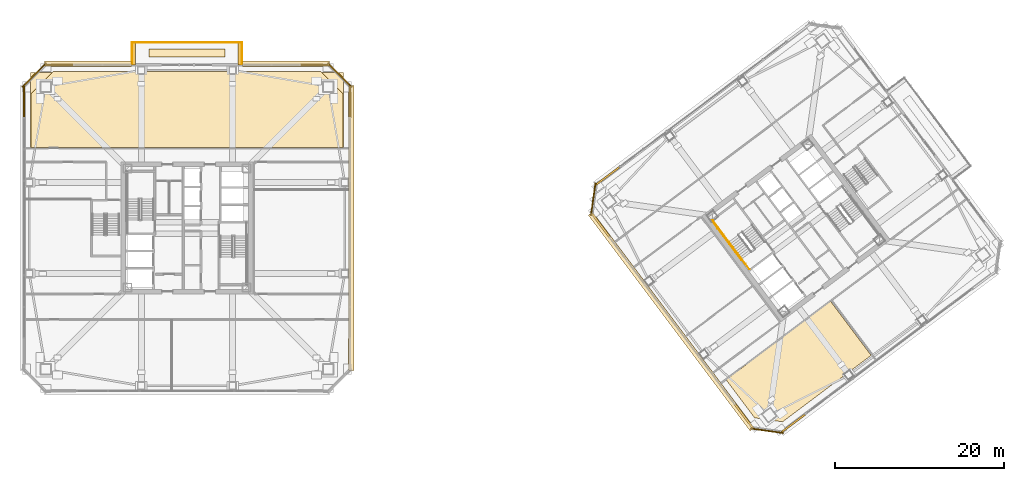
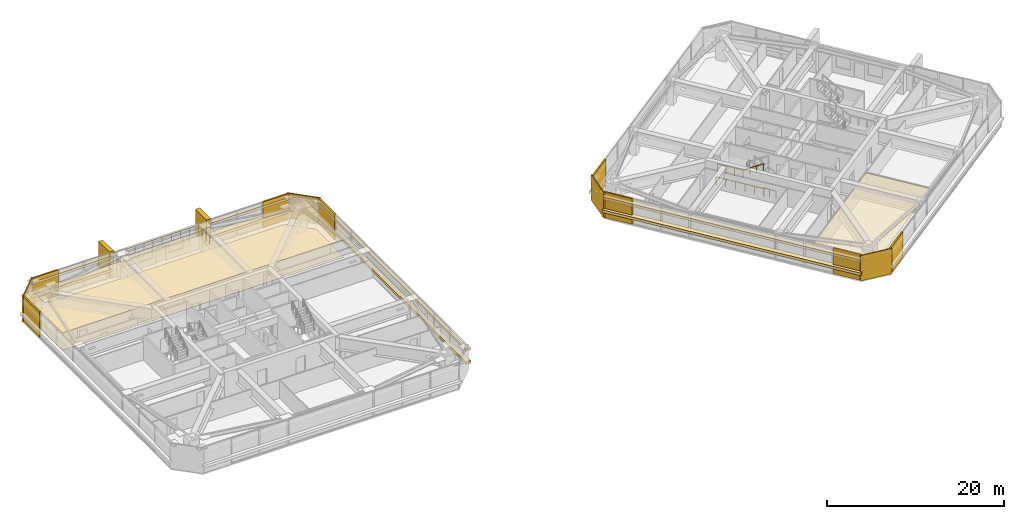
# One storey, part 39 of 42: 26 coverings, 7 railings.
"""IFC4 building model written with IfcOpenShell, lengths in metres."""

import ifcopenshell
import ifcopenshell.guid

model = None  # the IFC model being written
_history = None  # IfcOwnerHistory: only IFC2X3 demands one
_inside = {}  # id of a spatial element -> (the spatial element, [elements in it])
_under = {}  # id of a project, library or spatial element -> (it, [spatial elements below it])
_declared = {}  # id of a project -> (the project, [libraries it declares])
_typed = {}  # id of a type object -> (the type object, [elements of that type])
_made_of = {}  # id of a material, layer set ... -> (it, [elements and type objects made of it])


def new_model(schema):
    """Start an empty IFC model of exactly this schema.

    Asked for "IFC4X3", IfcOpenShell would pick the latest addendum, in which some entities
    have other attributes; the version numbers below select the first issue.
    IFC2X3 requires an IfcOwnerHistory on every rooted entity: one is made here for all.
    """
    global model, _history
    if schema == "IFC4X3":
        model = ifcopenshell.file(schema_version=(4, 3, 0, 0))
    else:
        model = ifcopenshell.file(schema=schema)
    _inside.clear()
    _under.clear()
    _declared.clear()
    _typed.clear()
    _made_of.clear()
    _history = None
    if model.schema == "IFC2X3":
        org = make("IfcOrganization", Name="unknown")
        user = make(
            "IfcPersonAndOrganization",
            ThePerson=make("IfcPerson", FamilyName="unknown"),
            TheOrganization=org,
        )
        app = make(
            "IfcApplication",
            ApplicationDeveloper=org,
            Version="unknown",
            ApplicationFullName="unknown",
            ApplicationIdentifier="unknown",
        )
        _history = make(
            "IfcOwnerHistory",
            OwningUser=user,
            OwningApplication=app,
            ChangeAction="ADDED",
            CreationDate=0,
        )
    return model


def make(cls, **values):
    """One entity of the class cls with the attributes given. An attribute that is None is left unset."""
    return model.create_entity(
        cls, **{name: value for name, value in values.items() if value is not None}
    )


def rooted(cls, **values):
    """An entity with a GlobalId (a new one), such as an element, a storey or a relation."""
    return make(cls, GlobalId=ifcopenshell.guid.new(), OwnerHistory=_history, **values)


def si_unit(unit_type, name, prefix=None):
    """IfcSIUnit, for example si_unit("LENGTHUNIT", "METRE", prefix="MILLI")."""
    return make("IfcSIUnit", UnitType=unit_type, Prefix=prefix, Name=name)


def assignment(units):
    """IfcUnitAssignment: the units of a project."""
    return None if units is None else make("IfcUnitAssignment", Units=units)


def point(xyz):
    """IfcCartesianPoint."""
    return None if xyz is None else make("IfcCartesianPoint", Coordinates=xyz)


def direction(xyz):
    """IfcDirection."""
    return None if xyz is None else make("IfcDirection", DirectionRatios=xyz)


def frame(location, z_axis=None, x_axis=None):
    """IfcAxis2Placement3D, a coordinate frame: its origin and axes. An axis left out is left unset."""
    return make(
        "IfcAxis2Placement3D",
        Location=point(location),
        Axis=direction(z_axis),
        RefDirection=direction(x_axis),
    )


def frame_2d(location, x_axis=None):
    """IfcAxis2Placement2D, a coordinate frame in the plane: its origin and x axis."""
    return make(
        "IfcAxis2Placement2D", Location=point(location), RefDirection=direction(x_axis)
    )


def origin():
    """The frame at (0, 0, 0) with its axes left unset."""
    return frame((0.0, 0.0, 0.0))


def origin_2d():
    """The frame at (0, 0) in the plane with its x axis left unset."""
    return frame_2d((0.0, 0.0))


def place(relative_to, where):
    """IfcLocalPlacement: puts the frame where relative to a parent placement (None: the world)."""
    return make(
        "IfcLocalPlacement", PlacementRelTo=relative_to, RelativePlacement=where
    )


def context(
    kind, dimensions, precision=None, world=None, true_north=None, identifier=None
):
    """IfcGeometricRepresentationContext, for example the 3D "Model" context."""
    return make(
        "IfcGeometricRepresentationContext",
        ContextIdentifier=identifier,
        ContextType=kind,
        CoordinateSpaceDimension=dimensions,
        Precision=precision,
        WorldCoordinateSystem=world,
        TrueNorth=true_north,
    )


def subcontext(parent, identifier, kind, view, scale=None):
    """IfcGeometricRepresentationSubContext, for example "Body" below "Model"."""
    return make(
        "IfcGeometricRepresentationSubContext",
        ContextIdentifier=identifier,
        ContextType=kind,
        ParentContext=parent,
        TargetScale=scale,
        TargetView=view,
    )


def project(units=None, contexts=None):
    """IfcProject with its units and contexts."""
    return rooted(
        "IfcProject",
        Name="project",
        RepresentationContexts=contexts,
        UnitsInContext=assignment(units),
    )


def spatial(cls, under=None, at=None, **own):
    """A site, building, storey or space (cls), placed at a placement, below another one or the project."""
    s = rooted(cls, ObjectPlacement=at, **own)
    if under is not None:
        _under.setdefault(under.id(), (under, []))[1].append(s)
    return s


def polyline(points):
    """IfcPolyline through the points."""
    return make("IfcPolyline", Points=[point(p) for p in points])


def profile(cls, at=None, kind="AREA", **sizes):
    """A parametric profile (cls). Its sizes go by their IFC names, for example OverallWidth=200.0."""
    return make(cls, ProfileType=kind, Position=at, **sizes)


def rectangle(**sizes):
    """IfcRectangleProfileDef."""
    return profile("IfcRectangleProfileDef", **sizes)


def outline(outer, holes=None, kind="AREA"):
    """IfcArbitraryClosedProfileDef: a profile drawn as a closed curve; with holes, ...WithVoids."""
    if holes is None:
        return make("IfcArbitraryClosedProfileDef", ProfileType=kind, OuterCurve=outer)
    return make(
        "IfcArbitraryProfileDefWithVoids",
        ProfileType=kind,
        OuterCurve=outer,
        InnerCurves=holes,
    )


def extrude(swept, where, along, depth):
    """IfcExtrudedAreaSolid: the profile swept, set in the frame where, extruded along a direction by depth."""
    return make(
        "IfcExtrudedAreaSolid",
        SweptArea=swept,
        Position=where,
        ExtrudedDirection=direction(along),
        Depth=depth,
    )


def shape(context_of_items, identifier, shape_type, items):
    """IfcShapeRepresentation: the items that make up one representation, for example the "Body"."""
    return make(
        "IfcShapeRepresentation",
        ContextOfItems=context_of_items,
        RepresentationIdentifier=identifier,
        RepresentationType=shape_type,
        Items=items,
    )


def material(Name=None, Category=None):
    """IfcMaterial."""
    return make("IfcMaterial", Name=Name, Category=Category)


def layer(
    of_material, thickness, ventilated=None, Name=None, Category=None, Priority=None
):
    """IfcMaterialLayer: one layer of a wall or slab, of a material (None: an air gap)."""
    return make(
        "IfcMaterialLayer",
        Material=of_material,
        LayerThickness=thickness,
        IsVentilated=ventilated,
        Name=Name,
        Category=Category,
        Priority=Priority,
    )


def layer_set(layers, Name=None):
    """IfcMaterialLayerSet."""
    return make("IfcMaterialLayerSet", MaterialLayers=layers, LayerSetName=Name)


def made_of(thing, what):
    """Note that an element or type object is made of a material, layer set ...; save() writes the relation."""
    if what is not None:
        _made_of.setdefault(what.id(), (what, []))[1].append(thing)
    return thing


def type_object(cls, material=None, **own):
    """A type object (cls), such as IfcWallType, which elements share."""
    return made_of(rooted(cls, **own), material)


def element(
    cls,
    number,
    at=None,
    inside=None,
    cuts=None,
    type_object=None,
    material=None,
    context=None,
    identifier="Body",
    shape_type=None,
    held_by="IfcProductDefinitionShape",
    body=None,
    shapes=None,
    **own,
):
    """One element of the class cls, such as IfcWall. Its Tag is "e" and its number.

    at: its placement. inside: the storey or other place that contains it. cuts: it is an
    opening in that element (IfcRelVoidsElement). A single representation is given by context,
    identifier, shape_type and body (its items); several are given by shapes. held_by: the class
    of the entity that holds the representations. save() writes the other relations.
    """
    e = rooted(cls, Tag="e%d" % number, ObjectPlacement=at, **own)
    if body is not None:
        shapes = [shape(context, identifier, shape_type, body)]
    if shapes is not None:
        e.Representation = make(held_by, Representations=shapes)
    if inside is not None:
        _inside.setdefault(inside.id(), (inside, []))[1].append(e)
    if cuts is not None:
        rooted(
            "IfcRelVoidsElement", RelatingBuildingElement=cuts, RelatedOpeningElement=e
        )
    if type_object is not None:
        _typed.setdefault(type_object.id(), (type_object, []))[1].append(e)
    return made_of(e, material)


def aggregate(whole, parts):
    """IfcRelAggregates: a whole, such as a stair, and the parts it consists of."""
    return rooted("IfcRelAggregates", RelatingObject=whole, RelatedObjects=parts)


def save(model, path):
    """Write the relations noted so far, then the file.

    IfcRelAggregates (storeys below a building ...), IfcRelContainedInSpatialStructure (elements
    in a storey), IfcRelDefinesByType, IfcRelAssociatesMaterial and IfcRelDeclares: one each for
    every whole, place, type object, material and project.
    """
    for whole, parts in _under.values():
        aggregate(whole, parts)
    for where, things in _inside.values():
        rooted(
            "IfcRelContainedInSpatialStructure",
            RelatedElements=things,
            RelatingStructure=where,
        )
    for kind, things in _typed.values():
        rooted("IfcRelDefinesByType", RelatedObjects=things, RelatingType=kind)
    for what, things in _made_of.values():
        rooted("IfcRelAssociatesMaterial", RelatedObjects=things, RelatingMaterial=what)
    for by, libraries in _declared.values():
        rooted("IfcRelDeclares", RelatingContext=by, RelatedDefinitions=libraries)
    model.write(path)


model = new_model("IFC4")

# Units and contexts
model_context = context("Model", 3, precision=1e-05, world=origin(), true_north=direction((0.0, 1.0)))
body_context = subcontext(model_context, "Body", "Model", "MODEL_VIEW")
ifc_project = project(units=[si_unit("LENGTHUNIT", "METRE"), si_unit("AREAUNIT", "SQUARE_METRE"), si_unit("VOLUMEUNIT", "CUBIC_METRE"), si_unit("PLANEANGLEUNIT", "RADIAN"), si_unit("MASSUNIT", "GRAM", prefix="KILO")], contexts=[model_context])

# Site, building, storey
site_placement = place(None, origin())
site = spatial("IfcSite", under=ifc_project, at=site_placement, CompositionType="ELEMENT")
building_placement = place(site_placement, origin())
building = spatial("IfcBuilding", under=site, at=building_placement, Name="Tashvorn Skyway Center", CompositionType="ELEMENT")
storey_placement = place(building_placement, frame((0.0, 0.0, 153.449951171875)))
storey = spatial("IfcBuildingStorey", under=building, at=storey_placement, Name="L41", CompositionType="ELEMENT", Elevation=153.449951171875)

# Coverings
ifc_material_1 = material(Name="Precast concrete C40/50", Category="concrete")
ifc_layer_1 = layer(ifc_material_1, 0.199951171875)
ifc_layer_set_1 = layer_set([ifc_layer_1], Name="Precast concrete C40/50")
covering_type_1 = type_object("IfcCoveringType", Name="COV-BRACE-CLAD", PredefinedType="CLADDING", material=ifc_layer_set_1)
covering_1_placement = place(storey_placement, frame((22.719970703125, 46.91552734375, 0.0), z_axis=(0.0, 0.0, 1.0), x_axis=(0.0, 1.0, 0.0)))
element("IfcCovering", 1, at=covering_1_placement, inside=storey, type_object=covering_type_1, Name="Tower 1 L41 West Unitised Curtain Wall Mega-Brace Cladding Band 2", PredefinedType="CLADDING", context=body_context, shape_type="SweptSolid", body=[
    extrude(rectangle(XDim=3.72900390625, YDim=0.199951171875, at=origin_2d()), origin(), (0.0, 0.0, 1.0), 3.550048828125),
])
for number, where, z_axis, x_axis, name in (
    (2, (26.916748046875, 51.280029296875, 0.0), (0.0, 0.0, 1.0), (1.0, 0.0, 0.0), "Tower 1 L41 North Curtain Wall L Mega-Brace Cladding Band 1"),
    (3, (57.083251953125, 51.280029296875, 0.0), (0.0, 0.0, 1.0), (1.0, 0.0, 0.0), "Tower 1 L41 North Curtain Wall R Mega-Brace Cladding Band 1"),
):
    element("IfcCovering", number, at=place(storey_placement, frame(where, z_axis=z_axis, x_axis=x_axis)), inside=storey, type_object=covering_type_1, Name=name, PredefinedType="CLADDING", context=body_context, shape_type="SweptSolid", body=[
        extrude(rectangle(XDim=3.393310546875, YDim=0.199951171875, at=origin_2d()), origin(), (0.0, 0.0, 1.0), 3.550048828125),
    ])
covering_2_placement = place(storey_placement, frame((61.280029296875, 46.91552734375, 0.0), z_axis=(0.0, 0.0, 1.0), x_axis=(0.0, -1.0, 0.0)))
element("IfcCovering", 4, at=covering_2_placement, inside=storey, type_object=covering_type_1, Name="Tower 1 L41 East Unitised Curtain Wall Mega-Brace Cladding Band 1", PredefinedType="CLADDING", context=body_context, shape_type="SweptSolid", body=[
    extrude(rectangle(XDim=3.72900390625, YDim=0.199951171875, at=origin_2d()), origin(), (0.0, 0.0, 1.0), 3.550048828125),
])
for number, where, z_axis, x_axis, name in (
    (5, (113.675537109375, 8.90673828125, 0.0), (0.0, 0.0, 1.0), (-0.799999996291, -0.600000004945, 0.0), "Tower 2 L41 South Unitised Curtain Wall Mega-Brace Cladding Band 2"),
    (6, (107.845458984375, 9.739501953125, 0.0), (0.0, 0.0, 1.0), (-0.600000004945, 0.799999996291, 0.0), "Tower 2 L41 West Unitised Curtain Wall Mega-Brace Cladding Band 1"),
    (7, (90.90673828125, 32.324462890625, 0.0), (0.0, 0.0, 1.0), (-0.600000004945, 0.799999996291, 0.0), "Tower 2 L41 West Unitised Curtain Wall Mega-Brace Cladding Band 2"),
    (8, (91.739501953125, 38.154541015625, 0.0), (0.0, 0.0, 1.0), (0.799999996291, 0.600000004945, 0.0), "Tower 2 L41 North Unitised Curtain Wall Mega-Brace Cladding Band 1"),
):
    element("IfcCovering", number, at=place(storey_placement, frame(where, z_axis=z_axis, x_axis=x_axis)), inside=storey, type_object=covering_type_1, Name=name, PredefinedType="CLADDING", context=body_context, shape_type="SweptSolid", body=[
        extrude(rectangle(XDim=3.52880859375, YDim=0.199951171875, at=origin_2d()), origin(), (0.0, 0.0, 1.0), 3.550048828125),
    ])
ifc_material_2 = material(Name="Mineral-fibre acoustic ceiling tile on suspended grid")
ifc_layer_2 = layer(ifc_material_2, 0.02001953125)
ifc_layer_set_2 = layer_set([ifc_layer_2], Name="Mineral-fibre acoustic ceiling tile on suspended grid")
covering_type_2 = type_object("IfcCoveringType", Name="COV-CEIL-20", PredefinedType="CEILING", material=ifc_layer_set_2)
covering_3_placement = place(storey_placement, frame((0.0, 0.0, 2.4931640625)))
element("IfcCovering", 9, at=covering_3_placement, inside=storey, type_object=covering_type_2, Name="Tower 1 L41 Executive Suite Acoustic Ceiling", PredefinedType="CEILING", context=body_context, shape_type="SweptSolid", body=[
    extrude(outline(polyline([(23.5, 41.449951171875), (60.5, 41.449951171875), (60.5, 50.39990234375), (23.5, 50.39990234375), (23.5, 41.449951171875)])), origin(), (0.0, 0.0, 1.0), 0.019775390625),
])
covering_4_placement = place(storey_placement, frame((0.0, 0.0, 2.4931640625)))
element("IfcCovering", 10, at=covering_4_placement, inside=storey, type_object=covering_type_2, Name="Tower 2 L41 Executive Suite Acoustic Ceiling", PredefinedType="CEILING", context=body_context, shape_type="SweptSolid", body=[
    extrude(outline(polyline([(105.72998046875, 14.06005859375), (118.097900390625, 23.3359375), (122.89208984375, 16.944091796875), (112.412109375, 9.083984375), (109.10791015625, 9.555908203125), (105.72998046875, 14.06005859375)])), origin(), (0.0, 0.0, 1.0), 0.019775390625),
])
ifc_material_3 = material(Name="Polished Mojave desert-aggregate terrazzo and cover plate")
ifc_layer_3 = layer(ifc_material_3, 0.0400390625)
ifc_layer_set_3 = layer_set([ifc_layer_3], Name="Polished Mojave desert-aggregate terrazzo and cover plate")
covering_type_3 = type_object("IfcCoveringType", Name="COV-FLR-40", PredefinedType="FLOORING", material=ifc_layer_set_3)
covering_5_placement = place(storey_placement, origin())
element("IfcCovering", 11, at=covering_5_placement, inside=storey, type_object=covering_type_3, Name="Tower 1 L41 Executive Suite Finish Flooring", PredefinedType="FLOORING", context=body_context, shape_type="SweptSolid", body=[
    extrude(outline(polyline([(60.419921875, 41.530029296875), (23.580078125, 41.530029296875), (23.580078125, 47.8798828125), (26.199951171875, 50.5), (57.800048828125, 50.5), (60.419921875, 47.8798828125), (60.419921875, 41.530029296875)])), origin(), (0.0, 0.0, 1.0), 0.0400390625),
])
ifc_material_4 = material(Name="Perforated ceramic-coated bronze aluminium solar screen", Category="aluminium")
ifc_layer_4 = layer(ifc_material_4, 0.85009765625)
ifc_layer_set_4 = layer_set([ifc_layer_4], Name="Perforated ceramic-coated bronze aluminium solar screen")
covering_type_4 = type_object("IfcCoveringType", Name="COV-SOLAR-BAND", PredefinedType="CLADDING", material=ifc_layer_set_4)
for number, where, z_axis, x_axis, name in (
    (12, (30.31005859375, 51.419921875, 0.919921875), (0.0, 0.0, 1.0), (1.0, 0.0, 0.0), "L41 Perforated Ceramic-Metal Solar Screen Louvre Band North 1"),
    (13, (30.31005859375, 51.419921875, 2.72021484375), (0.0, 0.0, 1.0), (1.0, 0.0, 0.0), "L41 Perforated Ceramic-Metal Solar Screen Louvre Band North 2"),
    (14, (53.68994140625, 51.419921875, 0.919921875), (0.0, 0.0, 1.0), (1.0, 0.0, 0.0), "L41 Perforated Ceramic-Metal Solar Screen Louvre Band North 1"),
    (15, (53.68994140625, 51.419921875, 2.72021484375), (0.0, 0.0, 1.0), (1.0, 0.0, 0.0), "L41 Perforated Ceramic-Metal Solar Screen Louvre Band North 2"),
):
    element("IfcCovering", number, at=place(storey_placement, frame(where, z_axis=z_axis, x_axis=x_axis)), inside=storey, type_object=covering_type_4, Name=name, PredefinedType="CLADDING", context=body_context, shape_type="SweptSolid", body=[
        extrude(rectangle(XDim=10.300048828125, YDim=0.639892578125, at=origin_2d()), origin(), (0.0, 0.0, 1.0), 0.360107421875),
    ])
for number, where, z_axis, x_axis, name in (
    (16, (61.419921875, 32.0, 0.919921875), (0.0, 0.0, 1.0), (0.0, -1.0, 0.0), "L41 Perforated Ceramic-Metal Solar Screen Louvre Band East 1"),
    (17, (61.419921875, 32.0, 2.72021484375), (0.0, 0.0, 1.0), (0.0, -1.0, 0.0), "L41 Perforated Ceramic-Metal Solar Screen Louvre Band East 2"),
):
    element("IfcCovering", number, at=place(storey_placement, frame(where, z_axis=z_axis, x_axis=x_axis)), inside=storey, type_object=covering_type_4, Name=name, PredefinedType="CLADDING", context=body_context, shape_type="SweptSolid", body=[
        extrude(rectangle(XDim=33.679931640625, YDim=0.639892578125, at=origin_2d()), origin(), (0.0, 0.0, 1.0), 0.360107421875),
    ])
for number, where, z_axis, x_axis, name in (
    (18, (99.263916015625, 20.947998046875, 0.919921875), (0.0, 0.0, 1.0), (-0.600000004945, 0.799999996291, 0.0), "L41 Perforated Ceramic-Metal Solar Screen Louvre Band West 1"),
    (19, (99.263916015625, 20.947998046875, 2.72021484375), (0.0, 0.0, 1.0), (-0.600000004945, 0.799999996291, 0.0), "L41 Perforated Ceramic-Metal Solar Screen Louvre Band West 2"),
):
    element("IfcCovering", number, at=place(storey_placement, frame(where, z_axis=z_axis, x_axis=x_axis)), inside=storey, type_object=covering_type_4, Name=name, PredefinedType="CLADDING", context=body_context, shape_type="SweptSolid", body=[
        extrude(rectangle(XDim=31.8798828125, YDim=0.639892578125, at=origin_2d()), origin(), (0.0, 0.0, 1.0), 0.360107421875),
    ])
ifc_layer_5 = layer(ifc_material_1, 0.35009765625)
ifc_layer_set_5 = layer_set([ifc_layer_5], Name="Precast concrete C40/50")
covering_type_5 = type_object("IfcCoveringType", Name="COV-STONE-TRIM", PredefinedType="CLADDING", material=ifc_layer_set_5)
for number, where, z_axis, x_axis, name in (
    (20, (35.64990234375, 52.550048828125, 0.0), (0.0, 0.0, 1.0), (1.0, 0.0, 0.0), "Tower 1 L41 Sky Garden Loggia Pier L"),
    (21, (48.35009765625, 52.550048828125, 0.0), (0.0, 0.0, 1.0), (1.0, 0.0, 0.0), "Tower 1 L41 Sky Garden Loggia Pier R"),
):
    element("IfcCovering", number, at=place(storey_placement, frame(where, z_axis=z_axis, x_axis=x_axis)), inside=storey, type_object=covering_type_5, Name=name, PredefinedType="CLADDING", context=body_context, shape_type="SweptSolid", body=[
        extrude(rectangle(XDim=0.580078125, YDim=2.5, at=origin_2d()), origin(), (0.0, 0.0, 1.0), 3.550048828125),
    ])
covering_6_placement = place(storey_placement, frame((42.0, 52.699951171875, 0.0), z_axis=(0.0, 0.0, 1.0), x_axis=(1.0, 0.0, 0.0)))
element("IfcCovering", 22, at=covering_6_placement, inside=storey, type_object=covering_type_5, Name="Tower 1 L41 Sky Garden Stone Planter Bed", PredefinedType="CLADDING", context=body_context, shape_type="SweptSolid", body=[
    extrude(rectangle(XDim=8.97607421875, YDim=0.949951171875, at=origin_2d()), origin(), (0.0, 0.0, 1.0), 0.800048828125),
])
for number, where, z_axis, x_axis, name in (
    (23, (23.929931640625, 50.070068359375, 0.02001953125), (0.0, 0.0, 1.0), (-0.707106781187, -0.707106781187, 0.0), "Tower 1 L41 NW Mojave Limestone Corner Quoin"),
    (24, (60.070068359375, 50.070068359375, 0.02001953125), (0.0, 0.0, 1.0), (0.707106781187, -0.707106781187, 0.0), "Tower 1 L41 NE Mojave Limestone Corner Quoin"),
):
    element("IfcCovering", number, at=place(storey_placement, frame(where, z_axis=z_axis, x_axis=x_axis)), inside=storey, type_object=covering_type_5, Name=name, PredefinedType="CLADDING", context=body_context, shape_type="SweptSolid", body=[
        extrude(rectangle(XDim=3.978515625, YDim=0.139892578125, at=origin_2d()), origin(), (0.0, 0.0, 1.0), 3.510009765625),
    ])
for number, where, z_axis, x_axis, name in (
    (25, (110.575927734375, 8.031982421875, 0.02001953125), (0.0, 0.0, 1.0), (-0.989949494535, 0.141421350118, 0.0), "Tower 2 L41 SW Mojave Limestone Corner Quoin"),
    (26, (90.031982421875, 35.424072265625, 0.02001953125), (0.0, 0.0, 1.0), (-0.141421350118, -0.989949494535, 0.0), "Tower 2 L41 NW Mojave Limestone Corner Quoin"),
):
    element("IfcCovering", number, at=place(storey_placement, frame(where, z_axis=z_axis, x_axis=x_axis)), inside=storey, type_object=covering_type_5, Name=name, PredefinedType="CLADDING", context=body_context, shape_type="SweptSolid", body=[
        extrude(rectangle(XDim=3.8369140625, YDim=0.139892578125, at=origin_2d()), origin(), (0.0, 0.0, 1.0), 3.510009765625),
    ])

# Railings
ifc_material_5 = material(Name="Galvanized steel S355", Category="steel")
railing_type_1 = type_object("IfcRailingType", Name="RAIL-GUARD-1120", PredefinedType="GUARDRAIL", material=ifc_material_5)
railing_1_placement = place(storey_placement, frame((35.47998046875, 51.39990234375, 0.0)))
element("IfcRailing", 27, at=railing_1_placement, inside=storey, type_object=railing_type_1, Name="L41 Tower 1 Terrace Guardrail 01", PredefinedType="GUARDRAIL", context=body_context, shape_type="SweptSolid", body=[
    extrude(rectangle(XDim=0.048095703125, YDim=0.048095703125, at=origin_2d()), frame((0.0, 0.0, 1.09619140625), z_axis=(0.0, 1.0, 0.0), x_axis=(-1.0, 0.0, 0.0)), (0.0, 0.0, 1.0), 2.52001953125),
    extrude(rectangle(XDim=0.0419921875, YDim=0.0419921875, at=origin_2d()), origin(), (0.0, 0.0, 1.0), 1.072021484375),
    extrude(rectangle(XDim=0.0419921875, YDim=0.0419921875, at=origin_2d()), frame((0.0, 0.840087890625, 0.0)), (0.0, 0.0, 1.0), 1.072021484375),
    extrude(rectangle(XDim=0.0419921875, YDim=0.0419921875, at=origin_2d()), frame((0.0, 1.679931640625, 0.0)), (0.0, 0.0, 1.0), 1.072021484375),
    extrude(rectangle(XDim=0.0419921875, YDim=0.0419921875, at=origin_2d()), frame((0.0, 2.52001953125, 0.0)), (0.0, 0.0, 1.0), 1.072021484375),
])
railing_2_placement = place(storey_placement, frame((35.47998046875, 53.919921875, 0.0)))
element("IfcRailing", 28, at=railing_2_placement, inside=storey, type_object=railing_type_1, Name="L41 Tower 1 Terrace Guardrail 02", PredefinedType="GUARDRAIL", context=body_context, shape_type="SweptSolid", body=[
    extrude(rectangle(XDim=0.048095703125, YDim=0.048095703125, at=origin_2d()), frame((0.0, 0.0, 1.09619140625), z_axis=(1.0, 0.0, 0.0), x_axis=(0.0, 1.0, 0.0)), (0.0, 0.0, 1.0), 13.0400390625),
    extrude(rectangle(XDim=0.0419921875, YDim=0.0419921875, at=origin_2d()), origin(), (0.0, 0.0, 1.0), 1.072021484375),
    extrude(rectangle(XDim=0.0419921875, YDim=0.0419921875, at=origin_2d()), frame((1.185546875, 0.0, 0.0)), (0.0, 0.0, 1.0), 1.072021484375),
    extrude(rectangle(XDim=0.0419921875, YDim=0.0419921875, at=origin_2d()), frame((2.370849609375, 0.0, 0.0)), (0.0, 0.0, 1.0), 1.072021484375),
    extrude(rectangle(XDim=0.0419921875, YDim=0.0419921875, at=origin_2d()), frame((3.556396484375, 0.0, 0.0)), (0.0, 0.0, 1.0), 1.072021484375),
    extrude(rectangle(XDim=0.0419921875, YDim=0.0419921875, at=origin_2d()), frame((4.741943359375, 0.0, 0.0)), (0.0, 0.0, 1.0), 1.072021484375),
    extrude(rectangle(XDim=0.0419921875, YDim=0.0419921875, at=origin_2d()), frame((5.92724609375, 0.0, 0.0)), (0.0, 0.0, 1.0), 1.072021484375),
    extrude(rectangle(XDim=0.0419921875, YDim=0.0419921875, at=origin_2d()), frame((7.11279296875, 0.0, 0.0)), (0.0, 0.0, 1.0), 1.072021484375),
    extrude(rectangle(XDim=0.0419921875, YDim=0.0419921875, at=origin_2d()), frame((8.298095703125, 0.0, 0.0)), (0.0, 0.0, 1.0), 1.072021484375),
    extrude(rectangle(XDim=0.0419921875, YDim=0.0419921875, at=origin_2d()), frame((9.483642578125, 0.0, 0.0)), (0.0, 0.0, 1.0), 1.072021484375),
    extrude(rectangle(XDim=0.0419921875, YDim=0.0419921875, at=origin_2d()), frame((10.669189453125, 0.0, 0.0)), (0.0, 0.0, 1.0), 1.072021484375),
    extrude(rectangle(XDim=0.0419921875, YDim=0.0419921875, at=origin_2d()), frame((11.8544921875, 0.0, 0.0)), (0.0, 0.0, 1.0), 1.072021484375),
    extrude(rectangle(XDim=0.0419921875, YDim=0.0419921875, at=origin_2d()), frame((13.0400390625, 0.0, 0.0)), (0.0, 0.0, 1.0), 1.072021484375),
])
railing_3_placement = place(storey_placement, frame((48.52001953125, 53.919921875, 0.0)))
element("IfcRailing", 29, at=railing_3_placement, inside=storey, type_object=railing_type_1, Name="L41 Tower 1 Terrace Guardrail 03", PredefinedType="GUARDRAIL", context=body_context, shape_type="SweptSolid", body=[
    extrude(rectangle(XDim=0.048095703125, YDim=0.048095703125, at=origin_2d()), frame((0.0, 0.0, 1.09619140625), z_axis=(0.0, -1.0, 0.0), x_axis=(1.0, 0.0, 0.0)), (0.0, 0.0, 1.0), 2.52001953125),
    extrude(rectangle(XDim=0.0419921875, YDim=0.0419921875, at=origin_2d()), origin(), (0.0, 0.0, 1.0), 1.072021484375),
    extrude(rectangle(XDim=0.0419921875, YDim=0.0419921875, at=origin_2d()), frame((0.0, -0.840087890625, 0.0)), (0.0, 0.0, 1.0), 1.072021484375),
    extrude(rectangle(XDim=0.0419921875, YDim=0.0419921875, at=origin_2d()), frame((0.0, -1.679931640625, 0.0)), (0.0, 0.0, 1.0), 1.072021484375),
    extrude(rectangle(XDim=0.0419921875, YDim=0.0419921875, at=origin_2d()), frame((0.0, -2.52001953125, 0.0)), (0.0, 0.0, 1.0), 1.072021484375),
])
ifc_material_6 = material(Name="Brushed stainless steel 316", Category="steel")
railing_type_2 = type_object("IfcRailingType", Name="RAIL-HAND-920", PredefinedType="HANDRAIL", material=ifc_material_6)
railing_4_placement = place(storey_placement, frame((106.072021484375, 30.35400390625, 1.95263671875)))
element("IfcRailing", 30, at=railing_4_placement, inside=storey, type_object=railing_type_2, Name="L41 ST-T2-1 stair handrail 2", PredefinedType="HANDRAIL", context=body_context, shape_type="SweptSolid", body=[
    extrude(rectangle(XDim=0.048095703125, YDim=0.048095703125, at=origin_2d()), frame((0.0, 0.0, 0.8759765625), z_axis=(0.506740800098, -0.675708949977, 0.535379469569), x_axis=(0.800023250257, 0.599968998406, 0.0)), (0.0, 0.0, 1.0), 2.983642578125),
    extrude(rectangle(XDim=0.0419921875, YDim=0.0419921875, at=origin_2d()), origin(), (0.0, 0.0, 1.0), 0.851806640625),
    extrude(rectangle(XDim=0.0419921875, YDim=0.0419921875, at=origin_2d()), frame((0.50390625, -0.672119140625, 0.532470703125)), (0.0, 0.0, 1.0), 0.851806640625),
    extrude(rectangle(XDim=0.0419921875, YDim=0.0419921875, at=origin_2d()), frame((1.008056640625, -1.343994140625, 1.06494140625)), (0.0, 0.0, 1.0), 0.851806640625),
    extrude(rectangle(XDim=0.0419921875, YDim=0.0419921875, at=origin_2d()), frame((1.511962890625, -2.01611328125, 1.597412109375)), (0.0, 0.0, 1.0), 0.851806640625),
])
ifc_material_7 = material(Name="Painted galvanized steel S355", Category="steel")
railing_type_3 = type_object("IfcRailingType", Name="RAIL-STGUARD-1100", PredefinedType="GUARDRAIL", material=ifc_material_7)
railing_5_placement = place(storey_placement, frame((106.072021484375, 30.35400390625, 1.775146484375)))
element("IfcRailing", 31, at=railing_5_placement, inside=storey, type_object=railing_type_3, Name="L41 ST-T2-1 stair guard 3", PredefinedType="GUARDRAIL", context=body_context, shape_type="SweptSolid", body=[
    extrude(rectangle(XDim=0.048095703125, YDim=0.048095703125, at=origin_2d()), frame((0.0, 0.0, 1.076171875), z_axis=(-0.599987638607, 0.800009270896, 0.0), x_axis=(-0.800009270896, -0.599987638607, 0.0)), (0.0, 0.0, 1.0), 3.16015625),
    extrude(rectangle(XDim=0.0419921875, YDim=0.0419921875, at=origin_2d()), origin(), (0.0, 0.0, 1.0), 1.052001953125),
    extrude(rectangle(XDim=0.0419921875, YDim=0.0419921875, at=origin_2d()), frame((-0.632080078125, 0.8427734375, 0.0)), (0.0, 0.0, 1.0), 1.052001953125),
    extrude(rectangle(XDim=0.0419921875, YDim=0.0419921875, at=origin_2d()), frame((-1.263916015625, 1.685302734375, 0.0)), (0.0, 0.0, 1.0), 1.052001953125),
    extrude(rectangle(XDim=0.0419921875, YDim=0.0419921875, at=origin_2d()), frame((-1.89599609375, 2.528076171875, 0.0)), (0.0, 0.0, 1.0), 1.052001953125),
])
railing_6_placement = place(storey_placement, frame((108.49609375, 27.1220703125, 0.0)))
element("IfcRailing", 32, at=railing_6_placement, inside=storey, type_object=railing_type_3, Name="L41 ST-T2-1 stair guard 6", PredefinedType="GUARDRAIL", context=body_context, shape_type="SweptSolid", body=[
    extrude(rectangle(XDim=0.048095703125, YDim=0.048095703125, at=origin_2d()), frame((0.0, 0.0, 1.076171875), z_axis=(-0.600102796382, 0.799922892393, 0.0), x_axis=(-0.799922892393, -0.600102796382, 0.0)), (0.0, 0.0, 1.0), 1.52001953125),
    extrude(rectangle(XDim=0.0419921875, YDim=0.0419921875, at=origin_2d()), origin(), (0.0, 0.0, 1.0), 1.052001953125),
    extrude(rectangle(XDim=0.0419921875, YDim=0.0419921875, at=origin_2d()), frame((-0.4560546875, 0.60791015625, 0.0)), (0.0, 0.0, 1.0), 1.052001953125),
    extrude(rectangle(XDim=0.0419921875, YDim=0.0419921875, at=origin_2d()), frame((-0.912109375, 1.2158203125, 0.0)), (0.0, 0.0, 1.0), 1.052001953125),
])
railing_7_placement = place(storey_placement, frame((107.56396484375, 28.197998046875, 0.0)))
element("IfcRailing", 33, at=railing_7_placement, inside=storey, type_object=railing_type_3, Name="L41 ST-T2-1 stair guard 7", PredefinedType="GUARDRAIL", context=body_context, shape_type="SweptSolid", body=[
    extrude(rectangle(XDim=0.048095703125, YDim=0.048095703125, at=origin_2d()), frame((0.0, 0.0, 1.076171875), z_axis=(-0.6, 0.8, 0.0), x_axis=(-0.8, -0.6, 0.0)), (0.0, 0.0, 1.0), 5.880126953125),
    extrude(rectangle(XDim=0.0419921875, YDim=0.0419921875, at=origin_2d()), origin(), (0.0, 0.0, 1.0), 1.052001953125),
    extrude(rectangle(XDim=0.0419921875, YDim=0.0419921875, at=origin_2d()), frame((-0.70556640625, 0.94091796875, 0.0)), (0.0, 0.0, 1.0), 1.052001953125),
    extrude(rectangle(XDim=0.0419921875, YDim=0.0419921875, at=origin_2d()), frame((-1.4111328125, 1.881591796875, 0.0)), (0.0, 0.0, 1.0), 1.052001953125),
    extrude(rectangle(XDim=0.0419921875, YDim=0.0419921875, at=origin_2d()), frame((-2.116943359375, 2.822509765625, 0.0)), (0.0, 0.0, 1.0), 1.052001953125),
    extrude(rectangle(XDim=0.0419921875, YDim=0.0419921875, at=origin_2d()), frame((-2.822509765625, 3.76318359375, 0.0)), (0.0, 0.0, 1.0), 1.052001953125),
    extrude(rectangle(XDim=0.0419921875, YDim=0.0419921875, at=origin_2d()), frame((-3.528076171875, 4.7041015625, 0.0)), (0.0, 0.0, 1.0), 1.052001953125),
])

save(model, "model.ifc")
